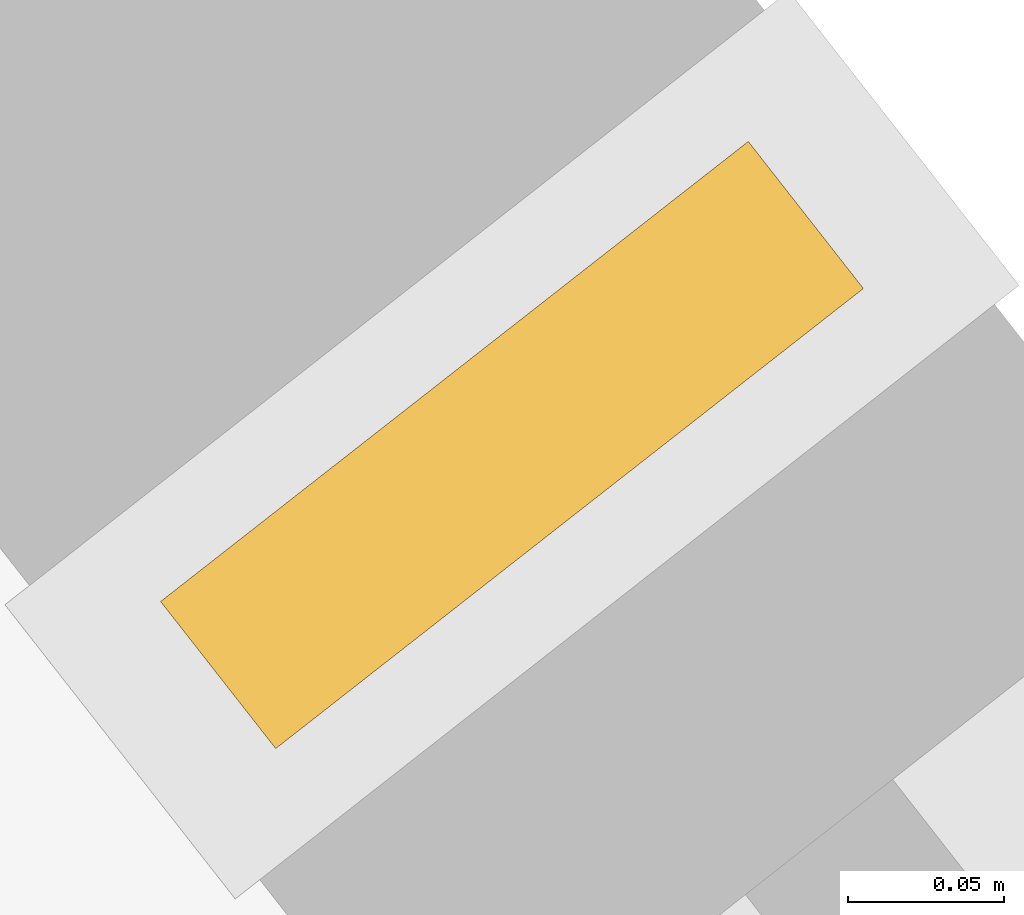
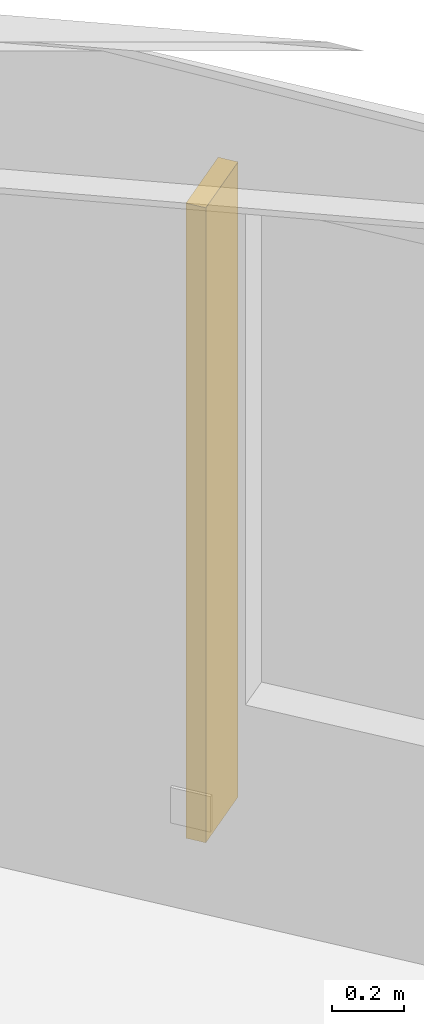
# One storey, part 14 of 14: 1 shading device.
"""IFC4 building model written with IfcOpenShell, lengths in metres."""

from ifc_helpers import new_model, si_unit, direction, frame, origin, origin_2d, place, context, subcontext, project, spatial, rectangle, extrude, material, type_object, element, save


model = new_model("IFC4")

# Units and contexts
model_context = context("Model", 3, precision=1e-05, world=origin(), true_north=direction((0.0, 1.0)))
body_context = subcontext(model_context, "Body", "Model", "MODEL_VIEW")
ifc_project = project(units=[si_unit("LENGTHUNIT", "METRE"), si_unit("AREAUNIT", "SQUARE_METRE"), si_unit("VOLUMEUNIT", "CUBIC_METRE"), si_unit("PLANEANGLEUNIT", "RADIAN"), si_unit("MASSUNIT", "GRAM", prefix="KILO")], contexts=[model_context])

# Site, building, storey
site_placement = place(None, origin())
site = spatial("IfcSite", under=ifc_project, at=site_placement, CompositionType="ELEMENT")
building_placement = place(site_placement, origin())
building = spatial("IfcBuilding", under=site, at=building_placement, Name="Kolvaren Gate Tower and Convention Centre", CompositionType="ELEMENT")
storey_placement = place(building_placement, frame((0.0, 0.0, 132.5)))
storey = spatial("IfcBuildingStorey", under=building, at=storey_placement, Name="L33", CompositionType="ELEMENT", Elevation=132.5)

# Shading device
ifc_material = material(Name="Kiln-Fired Bogota Terracotta Ceramic Louvre Profile", Category="masonry")
shading_device_type = type_object("IfcShadingDeviceType", Name="ARCH-SHD-FIN-180", PredefinedType="JALOUSIE", material=ifc_material)
shading_device_placement = place(storey_placement, frame((43.24755859375, 42.443359375, 0.219970703125), z_axis=(0.0, 0.0, 1.0), x_axis=(0.616424499081, -0.787414018756, 0.0)))
element("IfcShadingDevice", 1, at=shading_device_placement, inside=storey, type_object=shading_device_type, Name="Ceramic Vertical Brise-Soleil Fin FN-L33-03", PredefinedType="JALOUSIE", context=body_context, shape_type="SweptSolid", body=[
    extrude(rectangle(XDim=0.06005859375, YDim=0.239990234375, at=origin_2d()), origin(), (0.0, 0.0, 1.0), 2.14990234375),
])

save(model, "model.ifc")
